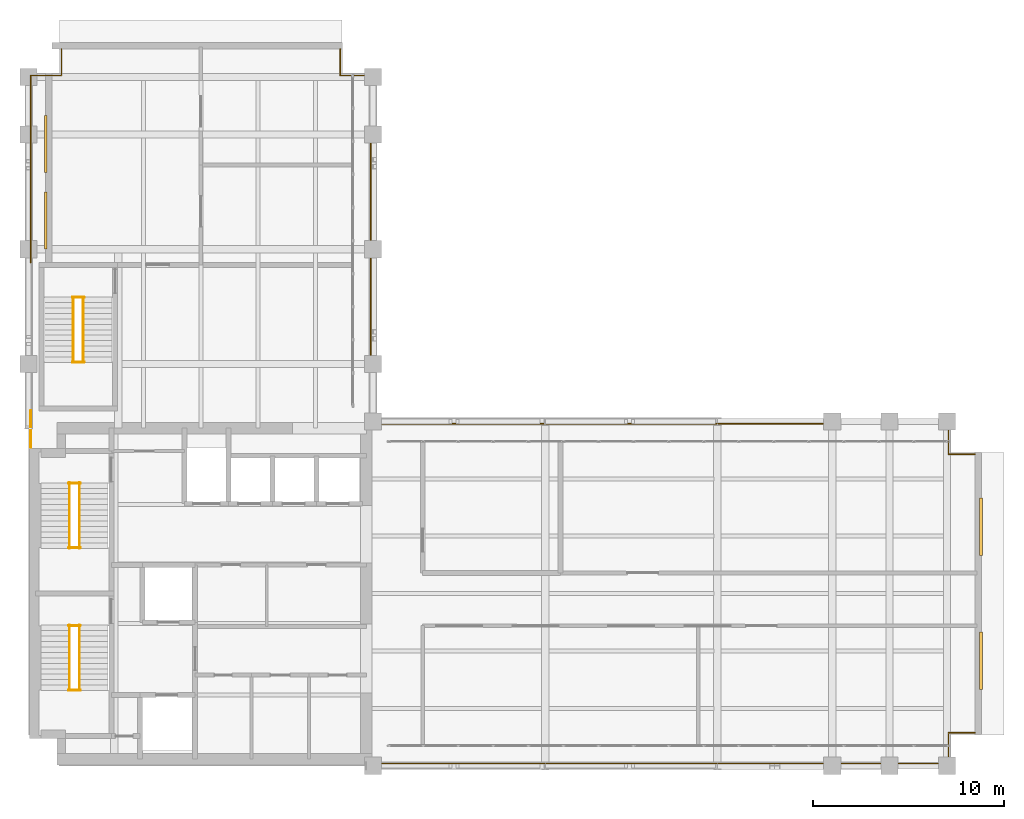
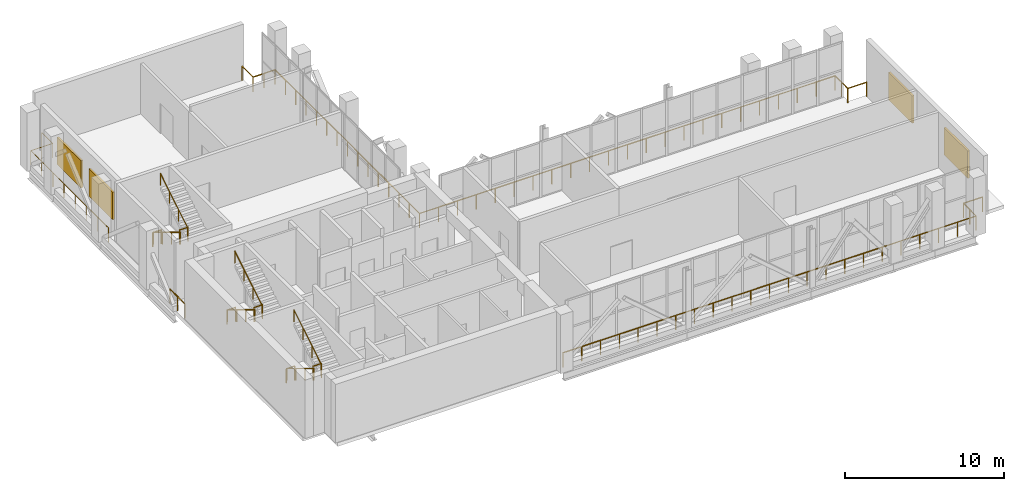
# One storey, part 26 of 26: 16 railings, 4 shading devices.
"""IFC4 building model written with IfcOpenShell, lengths in metres."""

import ifcopenshell
import ifcopenshell.guid

model = None  # the IFC model being written
_history = None  # IfcOwnerHistory: only IFC2X3 demands one
_inside = {}  # id of a spatial element -> (the spatial element, [elements in it])
_under = {}  # id of a project, library or spatial element -> (it, [spatial elements below it])
_declared = {}  # id of a project -> (the project, [libraries it declares])
_typed = {}  # id of a type object -> (the type object, [elements of that type])
_made_of = {}  # id of a material, layer set ... -> (it, [elements and type objects made of it])


def new_model(schema):
    """Start an empty IFC model of exactly this schema.

    Asked for "IFC4X3", IfcOpenShell would pick the latest addendum, in which some entities
    have other attributes; the version numbers below select the first issue.
    IFC2X3 requires an IfcOwnerHistory on every rooted entity: one is made here for all.
    """
    global model, _history
    if schema == "IFC4X3":
        model = ifcopenshell.file(schema_version=(4, 3, 0, 0))
    else:
        model = ifcopenshell.file(schema=schema)
    _inside.clear()
    _under.clear()
    _declared.clear()
    _typed.clear()
    _made_of.clear()
    _history = None
    if model.schema == "IFC2X3":
        org = make("IfcOrganization", Name="unknown")
        user = make(
            "IfcPersonAndOrganization",
            ThePerson=make("IfcPerson", FamilyName="unknown"),
            TheOrganization=org,
        )
        app = make(
            "IfcApplication",
            ApplicationDeveloper=org,
            Version="unknown",
            ApplicationFullName="unknown",
            ApplicationIdentifier="unknown",
        )
        _history = make(
            "IfcOwnerHistory",
            OwningUser=user,
            OwningApplication=app,
            ChangeAction="ADDED",
            CreationDate=0,
        )
    return model


def make(cls, **values):
    """One entity of the class cls with the attributes given. An attribute that is None is left unset."""
    return model.create_entity(
        cls, **{name: value for name, value in values.items() if value is not None}
    )


def rooted(cls, **values):
    """An entity with a GlobalId (a new one), such as an element, a storey or a relation."""
    return make(cls, GlobalId=ifcopenshell.guid.new(), OwnerHistory=_history, **values)


def si_unit(unit_type, name, prefix=None):
    """IfcSIUnit, for example si_unit("LENGTHUNIT", "METRE", prefix="MILLI")."""
    return make("IfcSIUnit", UnitType=unit_type, Prefix=prefix, Name=name)


def assignment(units):
    """IfcUnitAssignment: the units of a project."""
    return None if units is None else make("IfcUnitAssignment", Units=units)


def point(xyz):
    """IfcCartesianPoint."""
    return None if xyz is None else make("IfcCartesianPoint", Coordinates=xyz)


def direction(xyz):
    """IfcDirection."""
    return None if xyz is None else make("IfcDirection", DirectionRatios=xyz)


def frame(location, z_axis=None, x_axis=None):
    """IfcAxis2Placement3D, a coordinate frame: its origin and axes. An axis left out is left unset."""
    return make(
        "IfcAxis2Placement3D",
        Location=point(location),
        Axis=direction(z_axis),
        RefDirection=direction(x_axis),
    )


def frame_2d(location, x_axis=None):
    """IfcAxis2Placement2D, a coordinate frame in the plane: its origin and x axis."""
    return make(
        "IfcAxis2Placement2D", Location=point(location), RefDirection=direction(x_axis)
    )


def origin():
    """The frame at (0, 0, 0) with its axes left unset."""
    return frame((0.0, 0.0, 0.0))


def origin_2d():
    """The frame at (0, 0) in the plane with its x axis left unset."""
    return frame_2d((0.0, 0.0))


def place(relative_to, where):
    """IfcLocalPlacement: puts the frame where relative to a parent placement (None: the world)."""
    return make(
        "IfcLocalPlacement", PlacementRelTo=relative_to, RelativePlacement=where
    )


def context(
    kind, dimensions, precision=None, world=None, true_north=None, identifier=None
):
    """IfcGeometricRepresentationContext, for example the 3D "Model" context."""
    return make(
        "IfcGeometricRepresentationContext",
        ContextIdentifier=identifier,
        ContextType=kind,
        CoordinateSpaceDimension=dimensions,
        Precision=precision,
        WorldCoordinateSystem=world,
        TrueNorth=true_north,
    )


def subcontext(parent, identifier, kind, view, scale=None):
    """IfcGeometricRepresentationSubContext, for example "Body" below "Model"."""
    return make(
        "IfcGeometricRepresentationSubContext",
        ContextIdentifier=identifier,
        ContextType=kind,
        ParentContext=parent,
        TargetScale=scale,
        TargetView=view,
    )


def project(units=None, contexts=None):
    """IfcProject with its units and contexts."""
    return rooted(
        "IfcProject",
        Name="project",
        RepresentationContexts=contexts,
        UnitsInContext=assignment(units),
    )


def spatial(cls, under=None, at=None, **own):
    """A site, building, storey or space (cls), placed at a placement, below another one or the project."""
    s = rooted(cls, ObjectPlacement=at, **own)
    if under is not None:
        _under.setdefault(under.id(), (under, []))[1].append(s)
    return s


def profile(cls, at=None, kind="AREA", **sizes):
    """A parametric profile (cls). Its sizes go by their IFC names, for example OverallWidth=200.0."""
    return make(cls, ProfileType=kind, Position=at, **sizes)


def rectangle(**sizes):
    """IfcRectangleProfileDef."""
    return profile("IfcRectangleProfileDef", **sizes)


def circle(**sizes):
    """IfcCircleProfileDef."""
    return profile("IfcCircleProfileDef", **sizes)


def extrude(swept, where, along, depth):
    """IfcExtrudedAreaSolid: the profile swept, set in the frame where, extruded along a direction by depth."""
    return make(
        "IfcExtrudedAreaSolid",
        SweptArea=swept,
        Position=where,
        ExtrudedDirection=direction(along),
        Depth=depth,
    )


def shape(context_of_items, identifier, shape_type, items):
    """IfcShapeRepresentation: the items that make up one representation, for example the "Body"."""
    return make(
        "IfcShapeRepresentation",
        ContextOfItems=context_of_items,
        RepresentationIdentifier=identifier,
        RepresentationType=shape_type,
        Items=items,
    )


def material(Name=None, Category=None):
    """IfcMaterial."""
    return make("IfcMaterial", Name=Name, Category=Category)


def layer(
    of_material, thickness, ventilated=None, Name=None, Category=None, Priority=None
):
    """IfcMaterialLayer: one layer of a wall or slab, of a material (None: an air gap)."""
    return make(
        "IfcMaterialLayer",
        Material=of_material,
        LayerThickness=thickness,
        IsVentilated=ventilated,
        Name=Name,
        Category=Category,
        Priority=Priority,
    )


def layer_set(layers, Name=None):
    """IfcMaterialLayerSet."""
    return make("IfcMaterialLayerSet", MaterialLayers=layers, LayerSetName=Name)


def made_of(thing, what):
    """Note that an element or type object is made of a material, layer set ...; save() writes the relation."""
    if what is not None:
        _made_of.setdefault(what.id(), (what, []))[1].append(thing)
    return thing


def type_object(cls, material=None, **own):
    """A type object (cls), such as IfcWallType, which elements share."""
    return made_of(rooted(cls, **own), material)


def element(
    cls,
    number,
    at=None,
    inside=None,
    cuts=None,
    type_object=None,
    material=None,
    context=None,
    identifier="Body",
    shape_type=None,
    held_by="IfcProductDefinitionShape",
    body=None,
    shapes=None,
    **own,
):
    """One element of the class cls, such as IfcWall. Its Tag is "e" and its number.

    at: its placement. inside: the storey or other place that contains it. cuts: it is an
    opening in that element (IfcRelVoidsElement). A single representation is given by context,
    identifier, shape_type and body (its items); several are given by shapes. held_by: the class
    of the entity that holds the representations. save() writes the other relations.
    """
    e = rooted(cls, Tag="e%d" % number, ObjectPlacement=at, **own)
    if body is not None:
        shapes = [shape(context, identifier, shape_type, body)]
    if shapes is not None:
        e.Representation = make(held_by, Representations=shapes)
    if inside is not None:
        _inside.setdefault(inside.id(), (inside, []))[1].append(e)
    if cuts is not None:
        rooted(
            "IfcRelVoidsElement", RelatingBuildingElement=cuts, RelatedOpeningElement=e
        )
    if type_object is not None:
        _typed.setdefault(type_object.id(), (type_object, []))[1].append(e)
    return made_of(e, material)


def aggregate(whole, parts):
    """IfcRelAggregates: a whole, such as a stair, and the parts it consists of."""
    return rooted("IfcRelAggregates", RelatingObject=whole, RelatedObjects=parts)


def save(model, path):
    """Write the relations noted so far, then the file.

    IfcRelAggregates (storeys below a building ...), IfcRelContainedInSpatialStructure (elements
    in a storey), IfcRelDefinesByType, IfcRelAssociatesMaterial and IfcRelDeclares: one each for
    every whole, place, type object, material and project.
    """
    for whole, parts in _under.values():
        aggregate(whole, parts)
    for where, things in _inside.values():
        rooted(
            "IfcRelContainedInSpatialStructure",
            RelatedElements=things,
            RelatingStructure=where,
        )
    for kind, things in _typed.values():
        rooted("IfcRelDefinesByType", RelatedObjects=things, RelatingType=kind)
    for what, things in _made_of.values():
        rooted("IfcRelAssociatesMaterial", RelatedObjects=things, RelatingMaterial=what)
    for by, libraries in _declared.values():
        rooted("IfcRelDeclares", RelatingContext=by, RelatedDefinitions=libraries)
    model.write(path)


model = new_model("IFC4")

# Units and contexts
model_context = context("Model", 3, precision=1e-05, world=origin(), true_north=direction((0.0, 1.0)))
body_context = subcontext(model_context, "Body", "Model", "MODEL_VIEW")
ifc_project = project(units=[si_unit("LENGTHUNIT", "METRE"), si_unit("AREAUNIT", "SQUARE_METRE"), si_unit("VOLUMEUNIT", "CUBIC_METRE"), si_unit("PLANEANGLEUNIT", "RADIAN"), si_unit("MASSUNIT", "GRAM", prefix="KILO")], contexts=[model_context])

# Site, building, storey
site_placement = place(None, origin())
site = spatial("IfcSite", under=ifc_project, at=site_placement, CompositionType="ELEMENT")
building_placement = place(site_placement, origin())
building = spatial("IfcBuilding", under=site, at=building_placement, Name="Mawjdan Bourse Tower", CompositionType="ELEMENT")
storey_placement = place(building_placement, frame((0.0, 0.0, 226.800048828125)))
storey = spatial("IfcBuildingStorey", under=building, at=storey_placement, Name="L55", CompositionType="ELEMENT", Elevation=226.800048828125)

# Railings
ifc_material_1 = material(Name="Structural Steel S355", Category="steel")
railing_type_1 = type_object("IfcRailingType", Name="RLG-GRD-1100", PredefinedType="GUARDRAIL", material=ifc_material_1)
railing_1_placement = place(storey_placement, frame((24.050048828125, 3.1201171875, 0.0)))
element("IfcRailing", 1, at=railing_1_placement, inside=storey, type_object=railing_type_1, Name="L55 Refuge South-East Perimeter Safety Guardrail", PredefinedType="GUARDRAIL", context=body_context, shape_type="SweptSolid", body=[
    extrude(circle(Radius=0.02490234375, at=origin_2d()), frame((0.0, 0.0, 1.09521484375), z_axis=(1.0, 0.0, 0.0), x_axis=(0.0, 1.0, 0.0)), (0.0, 0.0, 1.0), 30.030029296875),
    extrude(circle(Radius=0.02490234375, at=origin_2d()), frame((30.030029296875, 0.0, 1.09521484375), z_axis=(0.0, 1.0, 0.0), x_axis=(-1.0, 0.0, 0.0)), (0.0, 0.0, 1.0), 1.599853515625),
    extrude(circle(Radius=0.02490234375, at=origin_2d()), frame((30.030029296875, 1.599853515625, 1.09521484375), z_axis=(1.0, 0.0, 0.0), x_axis=(0.0, 1.0, 0.0)), (0.0, 0.0, 1.0), 1.3798828125),
    extrude(circle(Radius=0.02197265625, at=origin_2d()), origin(), (0.0, 0.0, 1.0), 1.070068359375),
    extrude(circle(Radius=0.02197265625, at=origin_2d()), frame((1.364990234375, 0.0, 0.0)), (0.0, 0.0, 1.0), 1.070068359375),
    extrude(circle(Radius=0.02197265625, at=origin_2d()), frame((2.72998046875, 0.0, 0.0)), (0.0, 0.0, 1.0), 1.070068359375),
    extrude(circle(Radius=0.02197265625, at=origin_2d()), frame((4.094970703125, 0.0, 0.0)), (0.0, 0.0, 1.0), 1.070068359375),
    extrude(circle(Radius=0.02197265625, at=origin_2d()), frame((5.4599609375, 0.0, 0.0)), (0.0, 0.0, 1.0), 1.070068359375),
    extrude(circle(Radius=0.02197265625, at=origin_2d()), frame((6.824951171875, 0.0, 0.0)), (0.0, 0.0, 1.0), 1.070068359375),
    extrude(circle(Radius=0.02197265625, at=origin_2d()), frame((8.18994140625, 0.0, 0.0)), (0.0, 0.0, 1.0), 1.070068359375),
    extrude(circle(Radius=0.02197265625, at=origin_2d()), frame((9.554931640625, 0.0, 0.0)), (0.0, 0.0, 1.0), 1.070068359375),
    extrude(circle(Radius=0.02197265625, at=origin_2d()), frame((10.919921875, 0.0, 0.0)), (0.0, 0.0, 1.0), 1.070068359375),
    extrude(circle(Radius=0.02197265625, at=origin_2d()), frame((12.284912109375, 0.0, 0.0)), (0.0, 0.0, 1.0), 1.070068359375),
    extrude(circle(Radius=0.02197265625, at=origin_2d()), frame((13.64990234375, 0.0, 0.0)), (0.0, 0.0, 1.0), 1.070068359375),
    extrude(circle(Radius=0.02197265625, at=origin_2d()), frame((15.01513671875, 0.0, 0.0)), (0.0, 0.0, 1.0), 1.070068359375),
    extrude(circle(Radius=0.02197265625, at=origin_2d()), frame((16.380126953125, 0.0, 0.0)), (0.0, 0.0, 1.0), 1.070068359375),
    extrude(circle(Radius=0.02197265625, at=origin_2d()), frame((17.7451171875, 0.0, 0.0)), (0.0, 0.0, 1.0), 1.070068359375),
    extrude(circle(Radius=0.02197265625, at=origin_2d()), frame((19.110107421875, 0.0, 0.0)), (0.0, 0.0, 1.0), 1.070068359375),
    extrude(circle(Radius=0.02197265625, at=origin_2d()), frame((20.47509765625, 0.0, 0.0)), (0.0, 0.0, 1.0), 1.070068359375),
    extrude(circle(Radius=0.02197265625, at=origin_2d()), frame((21.840087890625, 0.0, 0.0)), (0.0, 0.0, 1.0), 1.070068359375),
    extrude(circle(Radius=0.02197265625, at=origin_2d()), frame((23.205078125, 0.0, 0.0)), (0.0, 0.0, 1.0), 1.070068359375),
    extrude(circle(Radius=0.02197265625, at=origin_2d()), frame((24.570068359375, 0.0, 0.0)), (0.0, 0.0, 1.0), 1.070068359375),
    extrude(circle(Radius=0.02197265625, at=origin_2d()), frame((25.93505859375, 0.0, 0.0)), (0.0, 0.0, 1.0), 1.070068359375),
    extrude(circle(Radius=0.02197265625, at=origin_2d()), frame((27.300048828125, 0.0, 0.0)), (0.0, 0.0, 1.0), 1.070068359375),
    extrude(circle(Radius=0.02197265625, at=origin_2d()), frame((28.6650390625, 0.0, 0.0)), (0.0, 0.0, 1.0), 1.070068359375),
    extrude(circle(Radius=0.02197265625, at=origin_2d()), frame((30.030029296875, 0.0, 0.0)), (0.0, 0.0, 1.0), 1.070068359375),
    extrude(circle(Radius=0.02197265625, at=origin_2d()), frame((30.030029296875, 0.7998046875, 0.0)), (0.0, 0.0, 1.0), 1.070068359375),
    extrude(circle(Radius=0.02197265625, at=origin_2d()), frame((30.030029296875, 1.599853515625, 0.0)), (0.0, 0.0, 1.0), 1.070068359375),
    extrude(circle(Radius=0.02197265625, at=origin_2d()), frame((31.409912109375, 1.599853515625, 0.0)), (0.0, 0.0, 1.0), 1.070068359375),
])
railing_2_placement = place(storey_placement, frame((55.4599609375, 19.280029296875, 0.0)))
element("IfcRailing", 2, at=railing_2_placement, inside=storey, type_object=railing_type_1, Name="L55 Refuge North-East Perimeter Safety Guardrail", PredefinedType="GUARDRAIL", context=body_context, shape_type="SweptSolid", body=[
    extrude(circle(Radius=0.02490234375, at=origin_2d()), frame((0.0, 0.0, 1.09521484375), z_axis=(-1.0, 0.0, 0.0), x_axis=(0.0, -1.0, 0.0)), (0.0, 0.0, 1.0), 1.3798828125),
    extrude(circle(Radius=0.02490234375, at=origin_2d()), frame((-1.3798828125, 0.0, 1.09521484375), z_axis=(0.0, 1.0, 0.0), x_axis=(-1.0, 0.0, 0.0)), (0.0, 0.0, 1.0), 1.599853515625),
    extrude(circle(Radius=0.02490234375, at=origin_2d()), frame((-1.3798828125, 1.599853515625, 1.09521484375), z_axis=(-1.0, 0.0, 0.0), x_axis=(0.0, -1.0, 0.0)), (0.0, 0.0, 1.0), 30.2001953125),
    extrude(circle(Radius=0.02490234375, at=origin_2d()), frame((-31.580078125, 1.599853515625, 1.09521484375), z_axis=(0.0, 1.0, 0.0), x_axis=(-1.0, 0.0, 0.0)), (0.0, 0.0, 1.0), 18.2001953125),
    extrude(circle(Radius=0.02490234375, at=origin_2d()), frame((-31.580078125, 19.800048828125, 1.09521484375), z_axis=(-1.0, 0.0, 0.0), x_axis=(0.0, -1.0, 0.0)), (0.0, 0.0, 1.0), 1.599853515625),
    extrude(circle(Radius=0.02490234375, at=origin_2d()), frame((-33.179931640625, 19.800048828125, 1.09521484375), z_axis=(0.0, 1.0, 0.0), x_axis=(-1.0, 0.0, 0.0)), (0.0, 0.0, 1.0), 1.3798828125),
    extrude(circle(Radius=0.02197265625, at=origin_2d()), origin(), (0.0, 0.0, 1.0), 1.070068359375),
    extrude(circle(Radius=0.02197265625, at=origin_2d()), frame((-1.3798828125, 0.0, 0.0)), (0.0, 0.0, 1.0), 1.070068359375),
    extrude(circle(Radius=0.02197265625, at=origin_2d()), frame((-1.3798828125, 0.7998046875, 0.0)), (0.0, 0.0, 1.0), 1.070068359375),
    extrude(circle(Radius=0.02197265625, at=origin_2d()), frame((-1.3798828125, 1.599853515625, 0.0)), (0.0, 0.0, 1.0), 1.070068359375),
    extrude(circle(Radius=0.02197265625, at=origin_2d()), frame((-2.752685546875, 1.599853515625, 0.0)), (0.0, 0.0, 1.0), 1.070068359375),
    extrude(circle(Radius=0.02197265625, at=origin_2d()), frame((-4.125244140625, 1.599853515625, 0.0)), (0.0, 0.0, 1.0), 1.070068359375),
    extrude(circle(Radius=0.02197265625, at=origin_2d()), frame((-5.498046875, 1.599853515625, 0.0)), (0.0, 0.0, 1.0), 1.070068359375),
    extrude(circle(Radius=0.02197265625, at=origin_2d()), frame((-6.870849609375, 1.599853515625, 0.0)), (0.0, 0.0, 1.0), 1.070068359375),
    extrude(circle(Radius=0.02197265625, at=origin_2d()), frame((-8.24365234375, 1.599853515625, 0.0)), (0.0, 0.0, 1.0), 1.070068359375),
    extrude(circle(Radius=0.02197265625, at=origin_2d()), frame((-9.6162109375, 1.599853515625, 0.0)), (0.0, 0.0, 1.0), 1.070068359375),
    extrude(circle(Radius=0.02197265625, at=origin_2d()), frame((-10.989013671875, 1.599853515625, 0.0)), (0.0, 0.0, 1.0), 1.070068359375),
    extrude(circle(Radius=0.02197265625, at=origin_2d()), frame((-12.36181640625, 1.599853515625, 0.0)), (0.0, 0.0, 1.0), 1.070068359375),
    extrude(circle(Radius=0.02197265625, at=origin_2d()), frame((-13.734619140625, 1.599853515625, 0.0)), (0.0, 0.0, 1.0), 1.070068359375),
    extrude(circle(Radius=0.02197265625, at=origin_2d()), frame((-15.107177734375, 1.599853515625, 0.0)), (0.0, 0.0, 1.0), 1.070068359375),
    extrude(circle(Radius=0.02197265625, at=origin_2d()), frame((-16.47998046875, 1.599853515625, 0.0)), (0.0, 0.0, 1.0), 1.070068359375),
    extrude(circle(Radius=0.02197265625, at=origin_2d()), frame((-17.852783203125, 1.599853515625, 0.0)), (0.0, 0.0, 1.0), 1.070068359375),
    extrude(circle(Radius=0.02197265625, at=origin_2d()), frame((-19.225341796875, 1.599853515625, 0.0)), (0.0, 0.0, 1.0), 1.070068359375),
    extrude(circle(Radius=0.02197265625, at=origin_2d()), frame((-20.59814453125, 1.599853515625, 0.0)), (0.0, 0.0, 1.0), 1.070068359375),
    extrude(circle(Radius=0.02197265625, at=origin_2d()), frame((-21.970947265625, 1.599853515625, 0.0)), (0.0, 0.0, 1.0), 1.070068359375),
    extrude(circle(Radius=0.02197265625, at=origin_2d()), frame((-23.34375, 1.599853515625, 0.0)), (0.0, 0.0, 1.0), 1.070068359375),
    extrude(circle(Radius=0.02197265625, at=origin_2d()), frame((-24.71630859375, 1.599853515625, 0.0)), (0.0, 0.0, 1.0), 1.070068359375),
    extrude(circle(Radius=0.02197265625, at=origin_2d()), frame((-26.089111328125, 1.599853515625, 0.0)), (0.0, 0.0, 1.0), 1.070068359375),
    extrude(circle(Radius=0.02197265625, at=origin_2d()), frame((-27.4619140625, 1.599853515625, 0.0)), (0.0, 0.0, 1.0), 1.070068359375),
    extrude(circle(Radius=0.02197265625, at=origin_2d()), frame((-28.834716796875, 1.599853515625, 0.0)), (0.0, 0.0, 1.0), 1.070068359375),
    extrude(circle(Radius=0.02197265625, at=origin_2d()), frame((-30.207275390625, 1.599853515625, 0.0)), (0.0, 0.0, 1.0), 1.070068359375),
    extrude(circle(Radius=0.02197265625, at=origin_2d()), frame((-31.580078125, 1.599853515625, 0.0)), (0.0, 0.0, 1.0), 1.070068359375),
    extrude(circle(Radius=0.02197265625, at=origin_2d()), frame((-31.580078125, 2.89990234375, 0.0)), (0.0, 0.0, 1.0), 1.070068359375),
    extrude(circle(Radius=0.02197265625, at=origin_2d()), frame((-31.580078125, 4.199951171875, 0.0)), (0.0, 0.0, 1.0), 1.070068359375),
    extrude(circle(Radius=0.02197265625, at=origin_2d()), frame((-31.580078125, 5.5, 0.0)), (0.0, 0.0, 1.0), 1.070068359375),
    extrude(circle(Radius=0.02197265625, at=origin_2d()), frame((-31.580078125, 6.7998046875, 0.0)), (0.0, 0.0, 1.0), 1.070068359375),
    extrude(circle(Radius=0.02197265625, at=origin_2d()), frame((-31.580078125, 8.099853515625, 0.0)), (0.0, 0.0, 1.0), 1.070068359375),
    extrude(circle(Radius=0.02197265625, at=origin_2d()), frame((-31.580078125, 9.39990234375, 0.0)), (0.0, 0.0, 1.0), 1.070068359375),
    extrude(circle(Radius=0.02197265625, at=origin_2d()), frame((-31.580078125, 10.699951171875, 0.0)), (0.0, 0.0, 1.0), 1.070068359375),
    extrude(circle(Radius=0.02197265625, at=origin_2d()), frame((-31.580078125, 12.0, 0.0)), (0.0, 0.0, 1.0), 1.070068359375),
    extrude(circle(Radius=0.02197265625, at=origin_2d()), frame((-31.580078125, 13.300048828125, 0.0)), (0.0, 0.0, 1.0), 1.070068359375),
    extrude(circle(Radius=0.02197265625, at=origin_2d()), frame((-31.580078125, 14.60009765625, 0.0)), (0.0, 0.0, 1.0), 1.070068359375),
    extrude(circle(Radius=0.02197265625, at=origin_2d()), frame((-31.580078125, 15.89990234375, 0.0)), (0.0, 0.0, 1.0), 1.070068359375),
    extrude(circle(Radius=0.02197265625, at=origin_2d()), frame((-31.580078125, 17.199951171875, 0.0)), (0.0, 0.0, 1.0), 1.070068359375),
    extrude(circle(Radius=0.02197265625, at=origin_2d()), frame((-31.580078125, 18.5, 0.0)), (0.0, 0.0, 1.0), 1.070068359375),
    extrude(circle(Radius=0.02197265625, at=origin_2d()), frame((-31.580078125, 19.800048828125, 0.0)), (0.0, 0.0, 1.0), 1.070068359375),
    extrude(circle(Radius=0.02197265625, at=origin_2d()), frame((-32.3798828125, 19.800048828125, 0.0)), (0.0, 0.0, 1.0), 1.070068359375),
    extrude(circle(Radius=0.02197265625, at=origin_2d()), frame((-33.179931640625, 19.800048828125, 0.0)), (0.0, 0.0, 1.0), 1.070068359375),
    extrude(circle(Radius=0.02197265625, at=origin_2d()), frame((-33.179931640625, 21.179931640625, 0.0)), (0.0, 0.0, 1.0), 1.070068359375),
])
railing_3_placement = place(storey_placement, frame((7.719970703125, 40.4599609375, 0.0)))
element("IfcRailing", 3, at=railing_3_placement, inside=storey, type_object=railing_type_1, Name="L55 Refuge North-West Perimeter Safety Guardrail", PredefinedType="GUARDRAIL", context=body_context, shape_type="SweptSolid", body=[
    extrude(circle(Radius=0.02490234375, at=origin_2d()), frame((0.0, 0.0, 1.09521484375), z_axis=(0.0, -1.0, 0.0), x_axis=(1.0, 0.0, 0.0)), (0.0, 0.0, 1.0), 1.3798828125),
    extrude(circle(Radius=0.02490234375, at=origin_2d()), frame((0.0, -1.3798828125, 1.09521484375), z_axis=(-1.0, 0.0, 0.0), x_axis=(0.0, -1.0, 0.0)), (0.0, 0.0, 1.0), 1.599853515625),
    extrude(circle(Radius=0.02490234375, at=origin_2d()), frame((-1.599853515625, -1.3798828125, 1.09521484375), z_axis=(0.0, -1.0, 0.0), x_axis=(1.0, 0.0, 0.0)), (0.0, 0.0, 1.0), 9.780029296875),
    extrude(circle(Radius=0.02197265625, at=origin_2d()), origin(), (0.0, 0.0, 1.0), 1.070068359375),
    extrude(circle(Radius=0.02197265625, at=origin_2d()), frame((0.0, -1.3798828125, 0.0)), (0.0, 0.0, 1.0), 1.070068359375),
    extrude(circle(Radius=0.02197265625, at=origin_2d()), frame((-0.7998046875, -1.3798828125, 0.0)), (0.0, 0.0, 1.0), 1.070068359375),
    extrude(circle(Radius=0.02197265625, at=origin_2d()), frame((-1.599853515625, -1.3798828125, 0.0)), (0.0, 0.0, 1.0), 1.070068359375),
    extrude(circle(Radius=0.02197265625, at=origin_2d()), frame((-1.599853515625, -2.777099609375, 0.0)), (0.0, 0.0, 1.0), 1.070068359375),
    extrude(circle(Radius=0.02197265625, at=origin_2d()), frame((-1.599853515625, -4.174072265625, 0.0)), (0.0, 0.0, 1.0), 1.070068359375),
    extrude(circle(Radius=0.02197265625, at=origin_2d()), frame((-1.599853515625, -5.5712890625, 0.0)), (0.0, 0.0, 1.0), 1.070068359375),
    extrude(circle(Radius=0.02197265625, at=origin_2d()), frame((-1.599853515625, -6.968505859375, 0.0)), (0.0, 0.0, 1.0), 1.070068359375),
    extrude(circle(Radius=0.02197265625, at=origin_2d()), frame((-1.599853515625, -8.36572265625, 0.0)), (0.0, 0.0, 1.0), 1.070068359375),
    extrude(circle(Radius=0.02197265625, at=origin_2d()), frame((-1.599853515625, -9.7626953125, 0.0)), (0.0, 0.0, 1.0), 1.070068359375),
    extrude(circle(Radius=0.02197265625, at=origin_2d()), frame((-1.599853515625, -11.159912109375, 0.0)), (0.0, 0.0, 1.0), 1.070068359375),
])
railing_4_placement = place(storey_placement, frame((6.1201171875, 21.56005859375, 0.0)))
element("IfcRailing", 4, at=railing_4_placement, inside=storey, type_object=railing_type_1, Name="L55 Refuge West Throat Perimeter Safety Guardrail", PredefinedType="GUARDRAIL", context=body_context, shape_type="SweptSolid", body=[
    extrude(circle(Radius=0.02490234375, at=origin_2d()), frame((0.0, 0.0, 1.09521484375), z_axis=(0.0, -1.0, 0.0), x_axis=(1.0, 0.0, 0.0)), (0.0, 0.0, 1.0), 1.91015625),
    extrude(circle(Radius=0.02197265625, at=origin_2d()), origin(), (0.0, 0.0, 1.0), 1.070068359375),
    extrude(circle(Radius=0.02197265625, at=origin_2d()), frame((0.0, -0.955078125, 0.0)), (0.0, 0.0, 1.0), 1.070068359375),
    extrude(circle(Radius=0.02197265625, at=origin_2d()), frame((0.0, -1.91015625, 0.0)), (0.0, 0.0, 1.0), 1.070068359375),
])
for number, where, name in (
    (5, (8.090087890625, 6.949951171875, 2.25), "L55 ST1 Landing Guardrail GL-MID"),
    (6, (8.090087890625, 10.330078125, 0.0), "L55 ST1 Landing Guardrail GL-BOT"),
    (7, (8.090087890625, 14.389892578125, 2.25), "L55 ST2 Landing Guardrail GL-MID"),
    (8, (8.090087890625, 17.77001953125, 0.0), "L55 ST2 Landing Guardrail GL-BOT"),
    (9, (8.2900390625, 24.10009765625, 2.25), "L55 ST3 Landing Guardrail GL-MID"),
    (10, (8.2900390625, 27.47998046875, 0.0), "L55 ST3 Landing Guardrail GL-BOT"),
):
    element("IfcRailing", number, at=place(storey_placement, frame(where)), inside=storey, type_object=railing_type_1, Name=name, PredefinedType="GUARDRAIL", context=body_context, shape_type="SweptSolid", body=[
        extrude(circle(Radius=0.02490234375, at=origin_2d()), frame((0.0, 0.0, 1.0751953125), z_axis=(1.0, 0.0, 0.0), x_axis=(0.0, 1.0, 0.0)), (0.0, 0.0, 1.0), 0.619873046875),
        extrude(circle(Radius=0.02099609375, at=origin_2d()), origin(), (0.0, 0.0, 1.0), 1.050048828125),
        extrude(circle(Radius=0.02099609375, at=origin_2d()), frame((0.619873046875, 0.0, 0.0)), (0.0, 0.0, 1.0), 1.050048828125),
    ])
ifc_material_2 = material(Name="Brushed Stainless Steel", Category="steel")
railing_type_2 = type_object("IfcRailingType", Name="RLG-HND-920", PredefinedType="HANDRAIL", material=ifc_material_2)
railing_5_placement = place(storey_placement, frame((8.139892578125, 10.35009765625, 0.173095703125)))
element("IfcRailing", 11, at=railing_5_placement, inside=storey, type_object=railing_type_2, Name="L55 ST1 Flight Handrail HR1", PredefinedType="HANDRAIL", context=body_context, shape_type="SweptSolid", body=[
    extrude(circle(Radius=0.0224609375, at=origin_2d()), frame((0.0, 0.0, 0.8974609375), z_axis=(0.0, -0.854745945586, 0.519046595696), x_axis=(1.0, 0.0, 0.0)), (0.0, 0.0, 1.0), 4.00146484375),
    extrude(circle(Radius=0.01904296875, at=origin_2d()), origin(), (0.0, 0.0, 1.0), 0.875),
    extrude(circle(Radius=0.01904296875, at=origin_2d()), frame((0.0, -1.14013671875, 0.6923828125)), (0.0, 0.0, 1.0), 0.875),
    extrude(circle(Radius=0.01904296875, at=origin_2d()), frame((0.0, -2.280029296875, 1.384521484375)), (0.0, 0.0, 1.0), 0.875),
    extrude(circle(Radius=0.01904296875, at=origin_2d()), frame((0.0, -3.420166015625, 2.076904296875)), (0.0, 0.0, 1.0), 0.875),
])
railing_6_placement = place(storey_placement, frame((8.659912109375, 6.929931640625, 2.423095703125)))
element("IfcRailing", 12, at=railing_6_placement, inside=storey, type_object=railing_type_2, Name="L55 ST1 Flight Handrail HR2", PredefinedType="HANDRAIL", context=body_context, shape_type="SweptSolid", body=[
    extrude(circle(Radius=0.0224609375, at=origin_2d()), frame((0.0, 0.0, 0.8974609375), z_axis=(0.0, 0.854745945586, 0.519046595696), x_axis=(-1.0, 0.0, 0.0)), (0.0, 0.0, 1.0), 4.00146484375),
    extrude(circle(Radius=0.01904296875, at=origin_2d()), origin(), (0.0, 0.0, 1.0), 0.875),
    extrude(circle(Radius=0.01904296875, at=origin_2d()), frame((0.0, 1.14013671875, 0.6923828125)), (0.0, 0.0, 1.0), 0.875),
    extrude(circle(Radius=0.01904296875, at=origin_2d()), frame((0.0, 2.280029296875, 1.384521484375)), (0.0, 0.0, 1.0), 0.875),
    extrude(circle(Radius=0.01904296875, at=origin_2d()), frame((0.0, 3.420166015625, 2.076904296875)), (0.0, 0.0, 1.0), 0.875),
])
railing_7_placement = place(storey_placement, frame((8.139892578125, 17.7900390625, 0.173095703125)))
element("IfcRailing", 13, at=railing_7_placement, inside=storey, type_object=railing_type_2, Name="L55 ST2 Flight Handrail HR1", PredefinedType="HANDRAIL", context=body_context, shape_type="SweptSolid", body=[
    extrude(circle(Radius=0.0224609375, at=origin_2d()), frame((0.0, 0.0, 0.8974609375), z_axis=(0.0, -0.854729506542, 0.519073665916), x_axis=(1.0, 0.0, 0.0)), (0.0, 0.0, 1.0), 4.001220703125),
    extrude(circle(Radius=0.01904296875, at=origin_2d()), origin(), (0.0, 0.0, 1.0), 0.875),
    extrude(circle(Radius=0.01904296875, at=origin_2d()), frame((0.0, -1.139892578125, 0.6923828125)), (0.0, 0.0, 1.0), 0.875),
    extrude(circle(Radius=0.01904296875, at=origin_2d()), frame((0.0, -2.280029296875, 1.384521484375)), (0.0, 0.0, 1.0), 0.875),
    extrude(circle(Radius=0.01904296875, at=origin_2d()), frame((0.0, -3.419921875, 2.076904296875)), (0.0, 0.0, 1.0), 0.875),
])
railing_8_placement = place(storey_placement, frame((8.659912109375, 14.3701171875, 2.423095703125)))
element("IfcRailing", 14, at=railing_8_placement, inside=storey, type_object=railing_type_2, Name="L55 ST2 Flight Handrail HR2", PredefinedType="HANDRAIL", context=body_context, shape_type="SweptSolid", body=[
    extrude(circle(Radius=0.0224609375, at=origin_2d()), frame((0.0, 0.0, 0.8974609375), z_axis=(0.0, 0.854729506542, 0.519073665916), x_axis=(-1.0, 0.0, 0.0)), (0.0, 0.0, 1.0), 4.001220703125),
    extrude(circle(Radius=0.01904296875, at=origin_2d()), origin(), (0.0, 0.0, 1.0), 0.875),
    extrude(circle(Radius=0.01904296875, at=origin_2d()), frame((0.0, 1.139892578125, 0.6923828125)), (0.0, 0.0, 1.0), 0.875),
    extrude(circle(Radius=0.01904296875, at=origin_2d()), frame((0.0, 2.280029296875, 1.384521484375)), (0.0, 0.0, 1.0), 0.875),
    extrude(circle(Radius=0.01904296875, at=origin_2d()), frame((0.0, 3.419921875, 2.076904296875)), (0.0, 0.0, 1.0), 0.875),
])
railing_9_placement = place(storey_placement, frame((8.340087890625, 27.5, 0.173095703125)))
element("IfcRailing", 15, at=railing_9_placement, inside=storey, type_object=railing_type_2, Name="L55 ST3 Flight Handrail HR1", PredefinedType="HANDRAIL", context=body_context, shape_type="SweptSolid", body=[
    extrude(circle(Radius=0.0224609375, at=origin_2d()), frame((0.0, 0.0, 0.8974609375), z_axis=(0.0, -0.854729506542, 0.519073665916), x_axis=(1.0, 0.0, 0.0)), (0.0, 0.0, 1.0), 4.001220703125),
    extrude(circle(Radius=0.01904296875, at=origin_2d()), origin(), (0.0, 0.0, 1.0), 0.875),
    extrude(circle(Radius=0.01904296875, at=origin_2d()), frame((0.0, -1.139892578125, 0.6923828125)), (0.0, 0.0, 1.0), 0.875),
    extrude(circle(Radius=0.01904296875, at=origin_2d()), frame((0.0, -2.280029296875, 1.384521484375)), (0.0, 0.0, 1.0), 0.875),
    extrude(circle(Radius=0.01904296875, at=origin_2d()), frame((0.0, -3.419921875, 2.076904296875)), (0.0, 0.0, 1.0), 0.875),
])
railing_10_placement = place(storey_placement, frame((8.860107421875, 24.080078125, 2.423095703125)))
element("IfcRailing", 16, at=railing_10_placement, inside=storey, type_object=railing_type_2, Name="L55 ST3 Flight Handrail HR2", PredefinedType="HANDRAIL", context=body_context, shape_type="SweptSolid", body=[
    extrude(circle(Radius=0.0224609375, at=origin_2d()), frame((0.0, 0.0, 0.8974609375), z_axis=(0.0, 0.854729506542, 0.519073665916), x_axis=(-1.0, 0.0, 0.0)), (0.0, 0.0, 1.0), 4.001220703125),
    extrude(circle(Radius=0.01904296875, at=origin_2d()), origin(), (0.0, 0.0, 1.0), 0.875),
    extrude(circle(Radius=0.01904296875, at=origin_2d()), frame((0.0, 1.139892578125, 0.6923828125)), (0.0, 0.0, 1.0), 0.875),
    extrude(circle(Radius=0.01904296875, at=origin_2d()), frame((0.0, 2.280029296875, 1.384521484375)), (0.0, 0.0, 1.0), 0.875),
    extrude(circle(Radius=0.01904296875, at=origin_2d()), frame((0.0, 3.419921875, 2.076904296875)), (0.0, 0.0, 1.0), 0.875),
])

# Shading devices
ifc_material_3 = material(Name="Anodised Sand-Trap Aluminium", Category="aluminium")
ifc_layer = layer(ifc_material_3, 0.139892578125)
ifc_layer_set = layer_set([ifc_layer], Name="Anodised Sand-Trap Aluminium")
shading_device_type = type_object("IfcShadingDeviceType", Name="SHD-LVR-SAND", PredefinedType="JALOUSIE", material=ifc_layer_set)
for number, where, z_axis, x_axis, name in (
    (17, (55.780029296875, 8.5, 1.0498046875), (0.0, 0.0, 1.0), (1.0, 0.0, 0.0), "L55 Sand-Trap Intake Louvre 1"),
    (18, (55.780029296875, 15.5, 1.0498046875), (0.0, 0.0, 1.0), (1.0, 0.0, 0.0), "L55 Sand-Trap Intake Louvre 2"),
    (19, (6.89990234375, 31.5, 1.0498046875), (0.0, 0.0, 1.0), (1.0, 0.0, 0.0), "L55 West Sand-Trap Intake Louvre 1"),
    (20, (6.89990234375, 35.5, 1.0498046875), (0.0, 0.0, 1.0), (1.0, 0.0, 0.0), "L55 West Sand-Trap Intake Louvre 2"),
):
    element("IfcShadingDevice", number, at=place(storey_placement, frame(where, z_axis=z_axis, x_axis=x_axis)), inside=storey, type_object=shading_device_type, Name=name, PredefinedType="JALOUSIE", context=body_context, shape_type="SweptSolid", body=[
        extrude(rectangle(XDim=0.139892578125, YDim=3.0, at=origin_2d()), origin(), (0.0, 0.0, 1.0), 2.10009765625),
    ])

save(model, "model.ifc")
